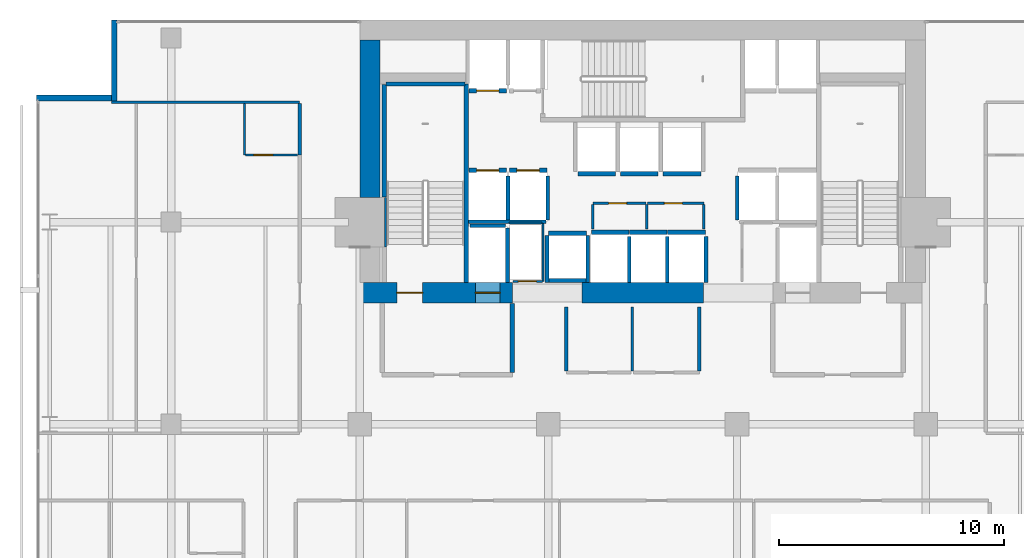
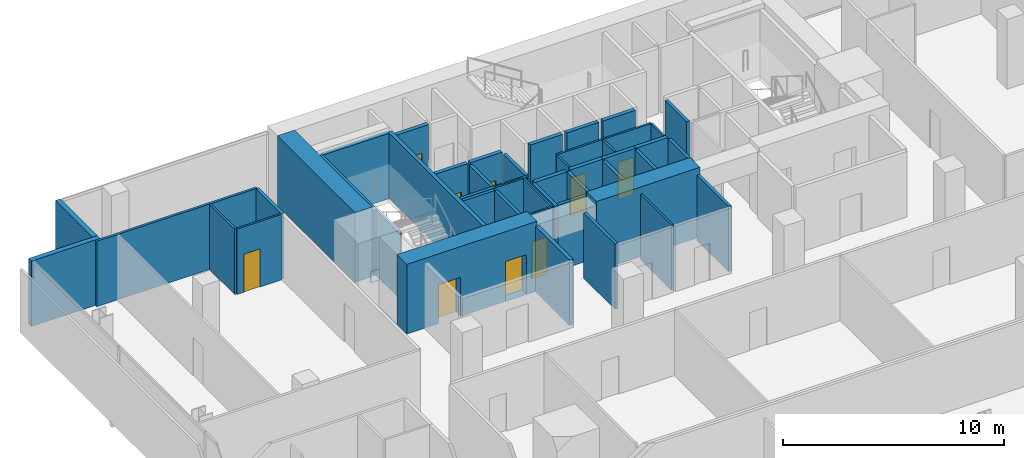
# One storey, part 35 of 40: 47 walls, 9 doors, 9 openings.
"""IFC4 building model written with IfcOpenShell, lengths in metres."""

from ifc_helpers import new_model, si_unit, direction, frame, frame_2d, origin, place, context, subcontext, project, spatial, rectangle, extrude, material, layer, layer_set, type_object, element, fill, save


model = new_model("IFC4")

# Units and contexts
model_context = context("Model", 3, precision=1e-05, world=origin(), true_north=direction((0.0, 1.0)))
body_context = subcontext(model_context, "Body", "Model", "MODEL_VIEW")
ifc_project = project(units=[si_unit("LENGTHUNIT", "METRE"), si_unit("AREAUNIT", "SQUARE_METRE"), si_unit("VOLUMEUNIT", "CUBIC_METRE"), si_unit("PLANEANGLEUNIT", "RADIAN"), si_unit("MASSUNIT", "GRAM", prefix="KILO")], contexts=[model_context])

# Site, building, storey
site_placement = place(None, origin())
site = spatial("IfcSite", under=ifc_project, at=site_placement, CompositionType="ELEMENT")
building_placement = place(site_placement, origin())
building = spatial("IfcBuilding", under=site, at=building_placement, Name="Maruvema Waterfront Hotel and Observation Tower", CompositionType="ELEMENT")
storey_placement = place(building_placement, frame((0.0, 0.0, 73.14990234375)))
storey = spatial("IfcBuildingStorey", under=building, at=storey_placement, Name="L17", CompositionType="ELEMENT", Elevation=73.14990234375)

# Walls
ifc_material_1 = material(Name="Twin-stud acoustic gypsum drywall", Category="gypsum")
ifc_layer_1 = layer(ifc_material_1, 0.14990234375, Name="Acoustic Corridor and Suite Demising Wall 150 mm")
ifc_layer_set_1 = layer_set([ifc_layer_1], Name="Twin-stud acoustic gypsum drywall")
wall_type_1 = type_object("IfcWallType", Name="Acoustic Corridor and Suite Demising Wall 150 mm", PredefinedType="PARTITIONING", material=ifc_layer_set_1)
for number, where, z_axis, x_axis, name in (
    (1, (34.39990234375, 38.3798828125, 0.0), (0.0, 0.0, 1.0), (0.0, 1.0, 0.0), "L17 Core Apron K2 West 019"),
    (2, (40.320068359375, 38.3798828125, 0.0), (0.0, 0.0, 1.0), (0.0, 1.0, 0.0), "L17 Core Apron K2 East 021"),
):
    element("IfcWall", number, at=place(storey_placement, frame(where, z_axis=z_axis, x_axis=x_axis)), inside=storey, type_object=wall_type_1, Name=name, PredefinedType="PARTITIONING", context=body_context, shape_type="SweptSolid", body=[
        extrude(rectangle(XDim=2.840087890625, YDim=0.14990234375, at=frame_2d((1.419921875, 0.0))), origin(), (0.0, 0.0, 1.0), 3.610107421875),
    ])
wall_1_placement = place(storey_placement, frame((22.52001953125, 47.987548828125, 0.0), z_axis=(0.0, 0.0, 1.0), x_axis=(0.0, 1.0, 0.0)))
element("IfcWall", 3, at=wall_1_placement, inside=storey, type_object=wall_type_1, Name="L17 Bath L17-NW1 Wall 091", PredefinedType="PARTITIONING", context=body_context, shape_type="SweptSolid", body=[
    extrude(rectangle(XDim=2.2900390625, YDim=0.14990234375, at=frame_2d((1.14501953125, 0.0))), origin(), (0.0, 0.0, 1.0), 3.610107421875),
])
ifc_material_2 = material(Name="Precast concrete C45/55", Category="concrete")
ifc_layer_2 = layer(ifc_material_2, 0.199951171875, Name="Core Shaft and Stairwell Enclosure Wall 200 mm")
ifc_layer_set_2 = layer_set([ifc_layer_2], Name="Precast concrete C45/55")
wall_type_2 = type_object("IfcWallType", Name="Core Shaft and Stairwell Enclosure Wall 200 mm", PredefinedType="SOLIDWALL", material=ifc_layer_set_2)
wall_2_placement = place(storey_placement, frame((29.949951171875, 42.300048828125, 0.0), z_axis=(0.0, 0.0, 1.0), x_axis=(0.0, 1.0, 0.0)))
element("IfcWall", 4, at=wall_2_placement, inside=storey, type_object=wall_type_2, Name="L17 Stairwell ST-01 East Shaft Wall", PredefinedType="SOLIDWALL", context=body_context, shape_type="SweptSolid", body=[
    extrude(rectangle(XDim=8.849853515625, YDim=0.199951171875, at=frame_2d((4.4248046875, 0.0))), origin(), (0.0, 0.0, 1.0), 3.610107421875),
])
wall_3_placement = place(storey_placement, frame((26.300048828125, 46.1201171875, 0.0), z_axis=(0.0, 0.0, 1.0), x_axis=(0.0, 1.0, 0.0)))
element("IfcWall", 5, at=wall_3_placement, inside=storey, type_object=wall_type_2, Name="L17 Stairwell ST-01 Shaft Lining Wall", PredefinedType="SOLIDWALL", context=body_context, shape_type="SweptSolid", body=[
    extrude(rectangle(XDim=5.0, YDim=0.199951171875, at=frame_2d((2.5, 0.0))), origin(), (0.0, 0.0, 1.0), 3.610107421875),
])
wall_4_placement = place(storey_placement, frame((26.3798828125, 51.14990234375, 0.0), z_axis=(0.0, 0.0, 1.0), x_axis=(1.0, 0.0, 0.0)))
element("IfcWall", 6, at=wall_4_placement, inside=storey, type_object=wall_type_2, Name="L17 Stairwell ST-01 Shaft Lining Wall", PredefinedType="SOLIDWALL", context=body_context, shape_type="SweptSolid", body=[
    extrude(rectangle(XDim=3.5, YDim=0.199951171875, at=frame_2d((1.75, 0.0))), origin(), (0.0, 0.0, 1.0), 3.610107421875),
])

# Wall, opening, door
wall_5_placement = place(storey_placement, frame((30.06005859375, 47.300048828125, 0.0), z_axis=(0.0, 0.0, 1.0), x_axis=(1.0, 0.0, 0.0)))
wall_5 = element("IfcWall", 7, at=wall_5_placement, inside=storey, type_object=wall_type_2, Name="L17 Lift LF-01 Hoistway Front Wall", PredefinedType="SOLIDWALL", context=body_context, shape_type="SweptSolid", body=[
    extrude(rectangle(XDim=1.679931640625, YDim=0.199951171875, at=frame_2d((0.83984375, 0.0))), origin(), (0.0, 0.0, 1.0), 3.610107421875),
])
opening_1_placement = place(wall_5_placement, frame((0.340087890625, 0.0, 0.0)))
opening_1 = element("IfcOpeningElement", 8, at=opening_1_placement, cuts=wall_5, Name="Opening LD-01", PredefinedType="OPENING", context=body_context, shape_type="SweptSolid", body=[
    extrude(rectangle(XDim=1.0, YDim=2.14990234375, at=frame_2d((0.5, 1.074951171875))), frame((0.0, 0.10986328125, 0.0), z_axis=(0.0, -1.0, 0.0), x_axis=(1.0, 0.0, 0.0)), (0.0, 0.0, 1.0), 0.219970703125),
])
ifc_material_3 = material(Name="Brushed stainless steel Grade 316", Category="steel")
door_type_1 = type_object("IfcDoorType", Name="Passenger Lift Sliding Landing Door 1000x2150 mm", OperationType="SLIDING_TO_LEFT", PredefinedType="DOOR", material=ifc_material_3)
door_1_placement = place(opening_1_placement, origin())
door_1 = element("IfcDoor", 9, at=door_1_placement, inside=storey, type_object=door_type_1, Name="L17 Lift LF-01 Sliding Landing Door", OperationType="SLIDING_TO_LEFT", OverallHeight=2.14990234375, OverallWidth=1.0, PredefinedType="DOOR", context=body_context, shape_type="SweptSolid", body=[
    extrude(rectangle(XDim=1.0, YDim=2.14990234375, at=frame_2d((0.5, 1.074951171875))), frame((0.0, 0.02490234375, 0.0), z_axis=(0.0, -1.0, 0.0), x_axis=(1.0, 0.0, 0.0)), (0.0, 0.0, 1.0), 0.050048828125),
])
fill(opening_1, door_1)

wall_6_placement = place(storey_placement, frame((31.860107421875, 47.300048828125, 0.0), z_axis=(0.0, 0.0, 1.0), x_axis=(1.0, 0.0, 0.0)))
wall_6 = element("IfcWall", 10, at=wall_6_placement, inside=storey, type_object=wall_type_2, Name="L17 Lift LF-02 Hoistway Front Wall", PredefinedType="SOLIDWALL", context=body_context, shape_type="SweptSolid", body=[
    extrude(rectangle(XDim=1.679931640625, YDim=0.199951171875, at=frame_2d((0.83984375, 0.0))), origin(), (0.0, 0.0, 1.0), 3.610107421875),
])
opening_2_placement = place(wall_6_placement, frame((0.340087890625, 0.0, 0.0)))
opening_2 = element("IfcOpeningElement", 11, at=opening_2_placement, cuts=wall_6, Name="Opening LD-01", PredefinedType="OPENING", context=body_context, shape_type="SweptSolid", body=[
    extrude(rectangle(XDim=1.0, YDim=2.14990234375, at=frame_2d((0.5, 1.074951171875))), frame((0.0, 0.10986328125, 0.0), z_axis=(0.0, -1.0, 0.0), x_axis=(1.0, 0.0, 0.0)), (0.0, 0.0, 1.0), 0.219970703125),
])
door_2_placement = place(opening_2_placement, origin())
door_2 = element("IfcDoor", 12, at=door_2_placement, inside=storey, type_object=door_type_1, Name="L17 Lift LF-02 Sliding Landing Door", OperationType="SLIDING_TO_LEFT", OverallHeight=2.14990234375, OverallWidth=1.0, PredefinedType="DOOR", context=body_context, shape_type="SweptSolid", body=[
    extrude(rectangle(XDim=1.0, YDim=2.14990234375, at=frame_2d((0.5, 1.074951171875))), frame((0.0, 0.02490234375, 0.0), z_axis=(0.0, -1.0, 0.0), x_axis=(1.0, 0.0, 0.0)), (0.0, 0.0, 1.0), 0.050048828125),
])
fill(opening_2, door_2)

wall_7_placement = place(storey_placement, frame((30.06005859375, 50.85009765625, 0.0), z_axis=(0.0, 0.0, 1.0), x_axis=(1.0, 0.0, 0.0)))
wall_7 = element("IfcWall", 13, at=wall_7_placement, inside=storey, type_object=wall_type_2, Name="L17 Lift LF-03 Hoistway Front Wall", PredefinedType="SOLIDWALL", context=body_context, shape_type="SweptSolid", body=[
    extrude(rectangle(XDim=1.679931640625, YDim=0.199951171875, at=frame_2d((0.83984375, 0.0))), origin(), (0.0, 0.0, 1.0), 3.610107421875),
])
opening_3_placement = place(wall_7_placement, frame((0.340087890625, 0.0, 0.0)))
opening_3 = element("IfcOpeningElement", 14, at=opening_3_placement, cuts=wall_7, Name="Opening LD-01", PredefinedType="OPENING", context=body_context, shape_type="SweptSolid", body=[
    extrude(rectangle(XDim=1.0, YDim=2.14990234375, at=frame_2d((0.5, 1.074951171875))), frame((0.0, 0.10986328125, 0.0), z_axis=(0.0, -1.0, 0.0), x_axis=(1.0, 0.0, 0.0)), (0.0, 0.0, 1.0), 0.219970703125),
])
door_3_placement = place(opening_3_placement, frame((1.0, 0.0, 0.0), z_axis=(0.0, 0.0, 1.0), x_axis=(-1.0, 0.0, 0.0)))
door_3 = element("IfcDoor", 15, at=door_3_placement, inside=storey, type_object=door_type_1, Name="L17 Lift LF-03 Sliding Landing Door", OperationType="SLIDING_TO_LEFT", OverallHeight=2.14990234375, OverallWidth=1.0, PredefinedType="DOOR", context=body_context, shape_type="SweptSolid", body=[
    extrude(rectangle(XDim=1.0, YDim=2.14990234375, at=frame_2d((0.5, 1.074951171875))), frame((0.0, 0.02490234375, 0.0), z_axis=(0.0, -1.0, 0.0), x_axis=(1.0, 0.0, 0.0)), (0.0, 0.0, 1.0), 0.050048828125),
])
fill(opening_3, door_3)

# Walls
for number, where, z_axis, x_axis, name in (
    (16, (35.510009765625, 44.550048828125, 0.0), (0.0, 0.0, 1.0), (1.0, 0.0, 0.0), "L17 Lift LF-09 Hoistway Front Wall"),
    (17, (37.2099609375, 44.550048828125, 0.0), (0.0, 0.0, 1.0), (1.0, 0.0, 0.0), "L17 Lift LF-10 Hoistway Front Wall"),
):
    element("IfcWall", number, at=place(storey_placement, frame(where, z_axis=z_axis, x_axis=x_axis)), inside=storey, type_object=wall_type_2, Name=name, PredefinedType="SOLIDWALL", context=body_context, shape_type="SweptSolid", body=[
        extrude(rectangle(XDim=1.679931640625, YDim=0.199951171875, at=frame_2d((0.83984375, 0.0))), origin(), (0.0, 0.0, 1.0), 3.610107421875),
    ])
for number, where, z_axis, x_axis, name in (
    (18, (38.909912109375, 44.550048828125, 0.0), (0.0, 0.0, 1.0), (1.0, 0.0, 0.0), "L17 Lift LF-11 Hoistway Front Wall"),
    (19, (34.909912109375, 47.14990234375, 0.0), (0.0, 0.0, 1.0), (1.0, 0.0, 0.0), "L17 Lift LF-12 Hoistway Front Wall"),
):
    element("IfcWall", number, at=place(storey_placement, frame(where, z_axis=z_axis, x_axis=x_axis)), inside=storey, type_object=wall_type_2, Name=name, PredefinedType="SOLIDWALL", context=body_context, shape_type="SweptSolid", body=[
        extrude(rectangle(XDim=1.68017578125, YDim=0.199951171875, at=frame_2d((0.840087890625, 0.0))), origin(), (0.0, 0.0, 1.0), 3.610107421875),
    ])
for number, where, z_axis, x_axis, name in (
    (20, (36.81005859375, 47.14990234375, 0.0), (0.0, 0.0, 1.0), (1.0, 0.0, 0.0), "L17 Lift LF-13 Hoistway Front Wall"),
    (21, (38.7099609375, 47.14990234375, 0.0), (0.0, 0.0, 1.0), (1.0, 0.0, 0.0), "L17 Lift LF-14 Hoistway Front Wall"),
    (22, (33.610107421875, 44.5, 0.0), (0.0, 0.0, 1.0), (1.0, 0.0, 0.0), "L17 Lift LF-15 Hoistway Front Wall"),
):
    element("IfcWall", number, at=place(storey_placement, frame(where, z_axis=z_axis, x_axis=x_axis)), inside=storey, type_object=wall_type_2, Name=name, PredefinedType="SOLIDWALL", context=body_context, shape_type="SweptSolid", body=[
        extrude(rectangle(XDim=1.679931640625, YDim=0.199951171875, at=frame_2d((0.83984375, 0.0))), origin(), (0.0, 0.0, 1.0), 3.610107421875),
    ])

# Wall, openings, doors
ifc_material_4 = material(Name="Concrete C80/95", Category="concrete")
ifc_layer_3 = layer(ifc_material_4, 0.89990234375, Name="Core Shear Wall 900 mm")
ifc_layer_set_3 = layer_set([ifc_layer_3], Name="Concrete C80/95")
wall_type_3 = type_object("IfcWallType", Name="Core Shear Wall 900 mm", PredefinedType="SHEAR", material=ifc_layer_set_3)
wall_8_placement = place(storey_placement, frame((25.199951171875, 41.85009765625, 0.0), z_axis=(0.0, 0.0, 1.0), x_axis=(1.0, 0.0, 0.0)))
wall_8 = element("IfcWall", 23, at=wall_8_placement, inside=storey, type_object=wall_type_3, Name="L17 South-West Core Shear Wall", PredefinedType="SHEAR", context=body_context, shape_type="SweptSolid", body=[
    extrude(rectangle(XDim=6.800048828125, YDim=0.89990234375, at=frame_2d((3.39990234375, 0.0))), origin(), (0.0, 0.0, 1.0), 3.85009765625),
])
opening_4_placement = place(wall_8_placement, frame((1.64990234375, 0.0, 0.0)))
opening_4 = element("IfcOpeningElement", 24, at=opening_4_placement, cuts=wall_8, Name="Opening SD-01", PredefinedType="OPENING", context=body_context, shape_type="SweptSolid", body=[
    extrude(rectangle(XDim=1.14990234375, YDim=2.14990234375, at=frame_2d((0.574951171875, 1.074951171875))), frame((0.0, 0.4599609375, 0.0), z_axis=(0.0, -1.0, 0.0), x_axis=(1.0, 0.0, 0.0)), (0.0, 0.0, 1.0), 0.919921875),
])
opening_5_placement = place(wall_8_placement, frame((5.14990234375, 0.0, 0.0)))
opening_5 = element("IfcOpeningElement", 25, at=opening_5_placement, cuts=wall_8, Name="Opening LD-03", PredefinedType="OPENING", context=body_context, shape_type="SweptSolid", body=[
    extrude(rectangle(XDim=1.10009765625, YDim=2.199951171875, at=frame_2d((0.550048828125, 1.10009765625))), frame((0.0, 0.4599609375, 0.0), z_axis=(0.0, -1.0, 0.0), x_axis=(1.0, 0.0, 0.0)), (0.0, 0.0, 1.0), 0.919921875),
])
ifc_material_5 = material(Name="Fire-rated galvanised steel leaf", Category="steel")
door_type_2 = type_object("IfcDoorType", Name="Exit Stair Fire Door 1150x2150 mm", OperationType="NOTDEFINED", PredefinedType="DOOR", material=ifc_material_5)
door_4_placement = place(opening_4_placement, origin())
door_4 = element("IfcDoor", 26, at=door_4_placement, inside=storey, type_object=door_type_2, Name="L17 Exit Stair ST-01 Fire Door", OperationType="SINGLE_SWING_LEFT", OverallHeight=2.14990234375, OverallWidth=1.14990234375, PredefinedType="DOOR", context=body_context, shape_type="SweptSolid", body=[
    extrude(rectangle(XDim=1.14990234375, YDim=2.14990234375, at=frame_2d((0.574951171875, 1.074951171875))), frame((0.0, 0.02490234375, 0.0), z_axis=(0.0, -1.0, 0.0), x_axis=(1.0, 0.0, 0.0)), (0.0, 0.0, 1.0), 0.050048828125),
])
fill(opening_4, door_4)
ifc_material_6 = material(Name="Brushed stainless steel Grade 316", Category="steel")
door_type_3 = type_object("IfcDoorType", Name="Firefighting Lift Sliding Landing Door 1100x2200 mm", OperationType="SLIDING_TO_LEFT", PredefinedType="DOOR", material=ifc_material_6)
door_5_placement = place(opening_5_placement, frame((1.10009765625, 0.0, 0.0), z_axis=(0.0, 0.0, 1.0), x_axis=(-1.0, 0.0, 0.0)))
door_5 = element("IfcDoor", 27, at=door_5_placement, inside=storey, type_object=door_type_3, Name="L17 Firefighting Lift FL-01 Landing Door", OperationType="SLIDING_TO_LEFT", OverallHeight=2.199951171875, OverallWidth=1.10009765625, PredefinedType="DOOR", context=body_context, shape_type="SweptSolid", body=[
    extrude(rectangle(XDim=1.10009765625, YDim=2.199951171875, at=frame_2d((0.550048828125, 1.10009765625))), frame((0.0, 0.02490234375, 0.0), z_axis=(0.0, -1.0, 0.0), x_axis=(1.0, 0.0, 0.0)), (0.0, 0.0, 1.0), 0.050048828125),
])
fill(opening_5, door_5)

# Walls
wall_9_placement = place(storey_placement, frame((35.10009765625, 41.85009765625, 0.0), z_axis=(0.0, 0.0, 1.0), x_axis=(1.0, 0.0, 0.0)))
element("IfcWall", 28, at=wall_9_placement, inside=storey, type_object=wall_type_3, Name="L17 South-Central Core Shear Wall", PredefinedType="SHEAR", context=body_context, shape_type="SweptSolid", body=[
    extrude(rectangle(XDim=5.39990234375, YDim=0.89990234375, at=frame_2d((2.699951171875, 0.0))), origin(), (0.0, 0.0, 1.0), 3.85009765625),
])
wall_10_placement = place(storey_placement, frame((25.64990234375, 46.10009765625, 0.0), z_axis=(0.0, 0.0, 1.0), x_axis=(0.0, 1.0, 0.0)))
element("IfcWall", 29, at=wall_10_placement, inside=storey, type_object=wall_type_3, Name="L17 West-North Core Shear Wall", PredefinedType="SHEAR", context=body_context, shape_type="SweptSolid", body=[
    extrude(rectangle(XDim=7.0, YDim=0.89990234375, at=frame_2d((3.5, 0.0))), origin(), (0.0, 0.0, 1.0), 3.85009765625),
])

# Wall, opening, door
ifc_material_7 = material(Name="Moisture-resistant cement-board drywall", Category="gypsum")
ifc_layer_4 = layer(ifc_material_7, 0.10009765625, Name="En-Suite Moisture-Resistant Partition 100 mm")
ifc_layer_set_4 = layer_set([ifc_layer_4], Name="Moisture-resistant cement-board drywall")
wall_type_4 = type_object("IfcWallType", Name="En-Suite Moisture-Resistant Partition 100 mm", PredefinedType="PARTITIONING", material=ifc_layer_set_4)
wall_11_placement = place(storey_placement, frame((32.02001953125, 42.360107421875, 0.0), z_axis=(0.0, 0.0, 1.0), x_axis=(1.0, 0.0, 0.0)))
wall_11 = element("IfcWall", 30, at=wall_11_placement, inside=storey, type_object=wall_type_4, Name="L17 Telecom Riser South Wall 007", PredefinedType="PARTITIONING", context=body_context, shape_type="SweptSolid", body=[
    extrude(rectangle(XDim=1.320068359375, YDim=0.10009765625, at=frame_2d((0.66015625, 0.0))), origin(), (0.0, 0.0, 1.0), 3.610107421875),
])
opening_6_placement = place(wall_11_placement, frame((0.239990234375, 0.0, 0.0)))
opening_6 = element("IfcOpeningElement", 31, at=opening_6_placement, cuts=wall_11, Name="Opening DR-080", PredefinedType="OPENING", context=body_context, shape_type="SweptSolid", body=[
    extrude(rectangle(XDim=0.800048828125, YDim=2.050048828125, at=frame_2d((0.39990234375, 1.02490234375))), frame((0.0, 0.06005859375, 0.0), z_axis=(0.0, -1.0, 0.0), x_axis=(1.0, 0.0, 0.0)), (0.0, 0.0, 1.0), 0.1201171875),
])
ifc_material_8 = material(Name="Powder-coated steel access leaf", Category="steel")
door_type_4 = type_object("IfcDoorType", Name="Riser and Service Cupboard Door 800x2050 mm", OperationType="NOTDEFINED", PredefinedType="DOOR", material=ifc_material_8)
door_6_placement = place(opening_6_placement, frame((0.800048828125, 0.0, 0.0), z_axis=(0.0, 0.0, 1.0), x_axis=(-1.0, 0.0, 0.0)))
door_6 = element("IfcDoor", 32, at=door_6_placement, inside=storey, type_object=door_type_4, Name="L17 Telecom Riser Door", OperationType="SINGLE_SWING_RIGHT", OverallHeight=2.050048828125, OverallWidth=0.800048828125, PredefinedType="DOOR", context=body_context, shape_type="SweptSolid", body=[
    extrude(rectangle(XDim=0.800048828125, YDim=2.050048828125, at=frame_2d((0.39990234375, 1.02490234375))), frame((0.0, 0.02490234375, 0.0), z_axis=(0.0, -1.0, 0.0), x_axis=(1.0, 0.0, 0.0)), (0.0, 0.0, 1.0), 0.050048828125),
])
fill(opening_6, door_6)

# Walls
wall_12_placement = place(storey_placement, frame((31.840087890625, 44.9599609375, 0.0), z_axis=(0.0, 0.0, 1.0), x_axis=(1.0, 0.0, 0.0)))
element("IfcWall", 33, at=wall_12_placement, inside=storey, type_object=wall_type_4, Name="L17 Telecom Riser North Wall 008", PredefinedType="PARTITIONING", context=body_context, shape_type="SweptSolid", body=[
    extrude(rectangle(XDim=1.47998046875, YDim=0.10009765625, at=frame_2d((0.739990234375, 0.0))), origin(), (0.0, 0.0, 1.0), 3.610107421875),
])
wall_13_placement = place(storey_placement, frame((33.360107421875, 42.360107421875, 0.0), z_axis=(0.0, 0.0, 1.0), x_axis=(0.0, 1.0, 0.0)))
element("IfcWall", 34, at=wall_13_placement, inside=storey, type_object=wall_type_4, Name="L17 Telecom Riser East Wall 009", PredefinedType="PARTITIONING", context=body_context, shape_type="SweptSolid", body=[
    extrude(rectangle(XDim=2.579833984375, YDim=0.10009765625, at=frame_2d((1.2900390625, 0.0))), origin(), (0.0, 0.0, 1.0), 3.610107421875),
])

# Wall, opening, door
wall_14_placement = place(storey_placement, frame((35.580078125, 45.840087890625, 0.0), z_axis=(0.0, 0.0, 1.0), x_axis=(1.0, 0.0, 0.0)))
wall_14 = element("IfcWall", 35, at=wall_14_placement, inside=storey, type_object=wall_type_4, Name="L17 Core Closet K2A North 010", PredefinedType="PARTITIONING", context=body_context, shape_type="SweptSolid", body=[
    extrude(rectangle(XDim=2.35986328125, YDim=0.10009765625, at=frame_2d((1.179931640625, 0.0))), origin(), (0.0, 0.0, 1.0), 3.610107421875),
])
opening_7_placement = place(wall_14_placement, frame((0.699951171875, 0.0, 0.0)))
opening_7 = element("IfcOpeningElement", 36, at=opening_7_placement, cuts=wall_14, Name="Opening DR-080", PredefinedType="OPENING", context=body_context, shape_type="SweptSolid", body=[
    extrude(rectangle(XDim=0.800048828125, YDim=2.050048828125, at=frame_2d((0.39990234375, 1.02490234375))), frame((0.0, 0.06005859375, 0.0), z_axis=(0.0, -1.0, 0.0), x_axis=(1.0, 0.0, 0.0)), (0.0, 0.0, 1.0), 0.1201171875),
])
door_7_placement = place(opening_7_placement, origin())
door_7 = element("IfcDoor", 37, at=door_7_placement, inside=storey, type_object=door_type_4, Name="L17 Core IT Closet Door", OperationType="SINGLE_SWING_LEFT", OverallHeight=2.050048828125, OverallWidth=0.800048828125, PredefinedType="DOOR", context=body_context, shape_type="SweptSolid", body=[
    extrude(rectangle(XDim=0.800048828125, YDim=2.050048828125, at=frame_2d((0.39990234375, 1.02490234375))), frame((0.0, 0.02490234375, 0.0), z_axis=(0.0, -1.0, 0.0), x_axis=(1.0, 0.0, 0.0)), (0.0, 0.0, 1.0), 0.050048828125),
])
fill(opening_7, door_7)

wall_15_placement = place(storey_placement, frame((38.02001953125, 45.840087890625, 0.0), z_axis=(0.0, 0.0, 1.0), x_axis=(1.0, 0.0, 0.0)))
wall_15 = element("IfcWall", 38, at=wall_15_placement, inside=storey, type_object=wall_type_4, Name="L17 Core Closet K2B North 011", PredefinedType="PARTITIONING", context=body_context, shape_type="SweptSolid", body=[
    extrude(rectangle(XDim=2.5, YDim=0.10009765625, at=frame_2d((1.25, 0.0))), origin(), (0.0, 0.0, 1.0), 3.610107421875),
])
opening_8_placement = place(wall_15_placement, frame((0.75, 0.0, 0.0)))
opening_8 = element("IfcOpeningElement", 39, at=opening_8_placement, cuts=wall_15, Name="Opening DR-080", PredefinedType="OPENING", context=body_context, shape_type="SweptSolid", body=[
    extrude(rectangle(XDim=0.800048828125, YDim=2.050048828125, at=frame_2d((0.39990234375, 1.02490234375))), frame((0.0, 0.06005859375, 0.0), z_axis=(0.0, -1.0, 0.0), x_axis=(1.0, 0.0, 0.0)), (0.0, 0.0, 1.0), 0.1201171875),
])
door_8_placement = place(opening_8_placement, origin())
door_8 = element("IfcDoor", 40, at=door_8_placement, inside=storey, type_object=door_type_4, Name="L17 Core Linen Cupboard Door", OperationType="SINGLE_SWING_RIGHT", OverallHeight=2.050048828125, OverallWidth=0.800048828125, PredefinedType="DOOR", context=body_context, shape_type="SweptSolid", body=[
    extrude(rectangle(XDim=0.800048828125, YDim=2.050048828125, at=frame_2d((0.39990234375, 1.02490234375))), frame((0.0, 0.02490234375, 0.0), z_axis=(0.0, -1.0, 0.0), x_axis=(1.0, 0.0, 0.0)), (0.0, 0.0, 1.0), 0.050048828125),
])
fill(opening_8, door_8)

# Walls
for number, where, z_axis, x_axis, name in (
    (41, (35.580078125, 44.699951171875, 0.0), (0.0, 0.0, 1.0), (0.0, 1.0, 0.0), "L17 Core Closet K2 West 012"),
    (42, (37.97998046875, 44.699951171875, 0.0), (0.0, 0.0, 1.0), (0.0, 1.0, 0.0), "L17 Core Closet K2 Mid 013"),
    (43, (40.52001953125, 44.699951171875, 0.0), (0.0, 0.0, 1.0), (0.0, 1.0, 0.0), "L17 Core Closet K2 East 014"),
):
    element("IfcWall", number, at=place(storey_placement, frame(where, z_axis=z_axis, x_axis=x_axis)), inside=storey, type_object=wall_type_4, Name=name, PredefinedType="PARTITIONING", context=body_context, shape_type="SweptSolid", body=[
        extrude(rectangle(XDim=1.080078125, YDim=0.10009765625, at=frame_2d((0.5400390625, 0.0))), origin(), (0.0, 0.0, 1.0), 3.610107421875),
    ])
wall_16_placement = place(storey_placement, frame((37.330078125, 38.3798828125, 0.0), z_axis=(0.0, 0.0, 1.0), x_axis=(0.0, 1.0, 0.0)))
element("IfcWall", 44, at=wall_16_placement, inside=storey, type_object=wall_type_4, Name="L17 Core Apron K2 Split 020", PredefinedType="PARTITIONING", context=body_context, shape_type="SweptSolid", body=[
    extrude(rectangle(XDim=2.840087890625, YDim=0.10009765625, at=frame_2d((1.419921875, 0.0))), origin(), (0.0, 0.0, 1.0), 3.610107421875),
])
wall_17_placement = place(storey_placement, frame((20.070068359375, 47.987548828125, 0.0), z_axis=(0.0, 0.0, 1.0), x_axis=(0.0, 1.0, 0.0)))
element("IfcWall", 45, at=wall_17_placement, inside=storey, type_object=wall_type_4, Name="L17 En-Suite L17-NW1 W 092", PredefinedType="PARTITIONING", context=body_context, shape_type="SweptSolid", body=[
    extrude(rectangle(XDim=2.2900390625, YDim=0.10009765625, at=frame_2d((1.14501953125, 0.0))), origin(), (0.0, 0.0, 1.0), 3.610107421875),
])

# Wall, opening, door
wall_18_placement = place(storey_placement, frame((20.1201171875, 47.987548828125, 0.0), z_axis=(0.0, 0.0, 1.0), x_axis=(1.0, 0.0, 0.0)))
wall_18 = element("IfcWall", 46, at=wall_18_placement, inside=storey, type_object=wall_type_4, Name="L17 En-Suite L17-NW1 S 093", PredefinedType="PARTITIONING", context=body_context, shape_type="SweptSolid", body=[
    extrude(rectangle(XDim=2.2998046875, YDim=0.10009765625, at=frame_2d((1.14990234375, 0.0))), origin(), (0.0, 0.0, 1.0), 3.610107421875),
])
opening_9_placement = place(wall_18_placement, frame((0.35009765625, 0.0, 0.0)))
opening_9 = element("IfcOpeningElement", 47, at=opening_9_placement, cuts=wall_18, Name="Opening DR-085", PredefinedType="OPENING", context=body_context, shape_type="SweptSolid", body=[
    extrude(rectangle(XDim=0.85009765625, YDim=2.10009765625, at=frame_2d((0.425048828125, 1.050048828125))), frame((0.0, 0.06005859375, 0.0), z_axis=(0.0, -1.0, 0.0), x_axis=(1.0, 0.0, 0.0)), (0.0, 0.0, 1.0), 0.1201171875),
])
ifc_material_9 = material(Name="Moisture-resistant solid timber leaf", Category="wood")
door_type_5 = type_object("IfcDoorType", Name="En-Suite Bathroom Door 850x2100 mm", OperationType="NOTDEFINED", PredefinedType="DOOR", material=ifc_material_9)
door_9_placement = place(opening_9_placement, frame((0.85009765625, 0.0, 0.0), z_axis=(0.0, 0.0, 1.0), x_axis=(-1.0, 0.0, 0.0)))
door_9 = element("IfcDoor", 48, at=door_9_placement, inside=storey, type_object=door_type_5, Name="L17 En-Suite L17-NW1 Door", OperationType="SINGLE_SWING_LEFT", OverallHeight=2.10009765625, OverallWidth=0.85009765625, PredefinedType="DOOR", context=body_context, shape_type="SweptSolid", body=[
    extrude(rectangle(XDim=0.85009765625, YDim=2.10009765625, at=frame_2d((0.425048828125, 1.050048828125))), frame((0.0, 0.02490234375, 0.0), z_axis=(0.0, -1.0, 0.0), x_axis=(1.0, 0.0, 0.0)), (0.0, 0.0, 1.0), 0.050048828125),
])
fill(opening_9, door_9)

# Walls
ifc_material_10 = material(Name="Precast concrete C45/55 with honed Pernambuco granite facing", Category="masonry")
ifc_layer_5 = layer(ifc_material_10, 0.260009765625, Name="Exterior Granite Clad Spandrel and Pier Wall 260 mm")
ifc_layer_set_5 = layer_set([ifc_layer_5], Name="Precast concrete C45/55 with honed Pernambuco granite facing")
wall_type_5 = type_object("IfcWallType", Name="Exterior Granite Clad Spandrel and Pier Wall 260 mm", PredefinedType="SOLIDWALL", material=ifc_layer_set_5)
wall_19_placement = place(storey_placement, frame((14.27001953125, 50.39990234375, 0.0), z_axis=(0.0, 0.0, 1.0), x_axis=(0.0, 1.0, 0.0)))
element("IfcWall", 49, at=wall_19_placement, inside=storey, type_object=wall_type_5, Name="L17 Corner Notch Granite Pier Wall NW1", PredefinedType="SOLIDWALL", context=body_context, shape_type="SweptSolid", body=[
    extrude(rectangle(XDim=3.60009765625, YDim=0.260009765625, at=frame_2d((1.800048828125, 0.0))), origin(), (0.0, 0.0, 1.0), 3.610107421875),
])
wall_20_placement = place(storey_placement, frame((10.800048828125, 50.530029296875, 0.0), z_axis=(0.0, 0.0, 1.0), x_axis=(1.0, 0.0, 0.0)))
element("IfcWall", 50, at=wall_20_placement, inside=storey, type_object=wall_type_5, Name="L17 Corner Notch Granite Pier Wall NW2", PredefinedType="SOLIDWALL", context=body_context, shape_type="SweptSolid", body=[
    extrude(rectangle(XDim=3.599853515625, YDim=0.260009765625, at=frame_2d((1.7998046875, 0.0))), origin(), (0.0, 0.0, 1.0), 3.610107421875),
])
ifc_material_11 = material(Name="Autoclaved cellular concrete blockwork", Category="masonry")
ifc_layer_6 = layer(ifc_material_11, 0.199951171875, Name="Fire Compartment Masonry Wall 200 mm")
ifc_layer_set_6 = layer_set([ifc_layer_6], Name="Autoclaved cellular concrete blockwork")
wall_type_6 = type_object("IfcWallType", Name="Fire Compartment Masonry Wall 200 mm", PredefinedType="PARTITIONING", material=ifc_layer_set_6)
wall_21_placement = place(storey_placement, frame((32.0, 38.31005859375, 0.0), z_axis=(0.0, 0.0, 1.0), x_axis=(0.0, 1.0, 0.0)))
element("IfcWall", 51, at=wall_21_placement, inside=storey, type_object=wall_type_6, Name="L17 FFL West East Wall 003", PredefinedType="PARTITIONING", context=body_context, shape_type="SweptSolid", body=[
    extrude(rectangle(XDim=3.06982421875, YDim=0.199951171875, at=frame_2d((1.534912109375, 0.0))), origin(), (0.0, 0.0, 1.0), 3.610107421875),
])
ifc_material_12 = material(Name="Acoustic gypsum plasterboard drywall", Category="gypsum")
ifc_layer_7 = layer(ifc_material_12, 0.125, Name="Guestroom Acoustic Demising Wall 125 mm")
ifc_layer_set_7 = layer_set([ifc_layer_7], Name="Acoustic gypsum plasterboard drywall")
wall_type_7 = type_object("IfcWallType", Name="Guestroom Acoustic Demising Wall 125 mm", PredefinedType="PARTITIONING", material=ifc_layer_set_7)
wall_22_placement = place(storey_placement, frame((14.139892578125, 50.33740234375, 0.0), z_axis=(0.0, 0.0, 1.0), x_axis=(1.0, 0.0, 0.0)))
element("IfcWall", 52, at=wall_22_placement, inside=storey, type_object=wall_type_7, Name="L17 NW Top End 088", PredefinedType="PARTITIONING", context=body_context, shape_type="SweptSolid", body=[
    extrude(rectangle(XDim=8.380126953125, YDim=0.125, at=frame_2d((4.18994140625, 0.0))), origin(), (0.0, 0.0, 1.0), 3.610107421875),
])
ifc_material_13 = material(Name="Precast concrete C45/55", Category="concrete")
ifc_layer_8 = layer(ifc_material_13, 0.159912109375, Name="Lift Hoistway Divider Wall 160 mm")
ifc_layer_set_8 = layer_set([ifc_layer_8], Name="Precast concrete C45/55")
wall_type_8 = type_object("IfcWallType", Name="Lift Hoistway Divider Wall 160 mm", PredefinedType="SOLIDWALL", material=ifc_layer_set_8)
wall_23_placement = place(storey_placement, frame((30.10009765625, 44.830078125, 0.0), z_axis=(0.0, 0.0, 1.0), x_axis=(1.0, 0.0, 0.0)))
element("IfcWall", 53, at=wall_23_placement, inside=storey, type_object=wall_type_8, Name="L17 Lift FL-01 Rear Hoistway Wall", PredefinedType="SOLIDWALL", context=body_context, shape_type="SweptSolid", body=[
    extrude(rectangle(XDim=1.599853515625, YDim=0.159912109375, at=frame_2d((0.7998046875, 0.0))), origin(), (0.0, 0.0, 1.0), 3.610107421875),
])
wall_24_placement = place(storey_placement, frame((31.780029296875, 42.300048828125, 0.0), z_axis=(0.0, 0.0, 1.0), x_axis=(0.0, 1.0, 0.0)))
element("IfcWall", 54, at=wall_24_placement, inside=storey, type_object=wall_type_8, Name="L17 Lift FL-01 Inner Hoistway Wall", PredefinedType="SOLIDWALL", context=body_context, shape_type="SweptSolid", body=[
    extrude(rectangle(XDim=2.43994140625, YDim=0.159912109375, at=frame_2d((1.219970703125, 0.0))), origin(), (0.0, 0.0, 1.0), 3.610107421875),
])
for number, where, z_axis, x_axis, name in (
    (55, (31.800048828125, 45.10009765625, 0.0), (0.0, 0.0, 1.0), (0.0, 1.0, 0.0), "L17 Hoistway Divider Wall"),
    (56, (33.580078125, 45.10009765625, 0.0), (0.0, 0.0, 1.0), (0.0, 1.0, 0.0), "L17 Hoistway Divider Wall"),
):
    element("IfcWall", number, at=place(storey_placement, frame(where, z_axis=z_axis, x_axis=x_axis)), inside=storey, type_object=wall_type_8, Name=name, PredefinedType="SOLIDWALL", context=body_context, shape_type="SweptSolid", body=[
        extrude(rectangle(XDim=1.949951171875, YDim=0.159912109375, at=frame_2d((0.97509765625, 0.0))), origin(), (0.0, 0.0, 1.0), 3.610107421875),
    ])
wall_25_placement = place(storey_placement, frame((30.050048828125, 45.010009765625, 0.0), z_axis=(0.0, 0.0, 1.0), x_axis=(1.0, 0.0, 0.0)))
element("IfcWall", 57, at=wall_25_placement, inside=storey, type_object=wall_type_8, Name="L17 Hoistway Divider Wall", PredefinedType="SOLIDWALL", context=body_context, shape_type="SweptSolid", body=[
    extrude(rectangle(XDim=3.449951171875, YDim=0.159912109375, at=frame_2d((1.72509765625, 0.0))), origin(), (0.0, 0.0, 1.0), 3.610107421875),
])
wall_26_placement = place(storey_placement, frame((42.02001953125, 45.10009765625, 0.0), z_axis=(0.0, 0.0, 1.0), x_axis=(0.0, 1.0, 0.0)))
element("IfcWall", 58, at=wall_26_placement, inside=storey, type_object=wall_type_8, Name="L17 Hoistway Divider Wall", PredefinedType="SOLIDWALL", context=body_context, shape_type="SweptSolid", body=[
    extrude(rectangle(XDim=1.949951171875, YDim=0.159912109375, at=frame_2d((0.97509765625, 0.0))), origin(), (0.0, 0.0, 1.0), 3.610107421875),
])
for number, where, z_axis, x_axis, name in (
    (59, (37.199951171875, 42.300048828125, 0.0), (0.0, 0.0, 1.0), (0.0, 1.0, 0.0), "L17 Hoistway Divider Wall"),
    (60, (38.89990234375, 42.300048828125, 0.0), (0.0, 0.0, 1.0), (0.0, 1.0, 0.0), "L17 Hoistway Divider Wall"),
    (61, (40.6201171875, 42.300048828125, 0.0), (0.0, 0.0, 1.0), (0.0, 1.0, 0.0), "L17 Hoistway Divider Wall"),
):
    element("IfcWall", number, at=place(storey_placement, frame(where, z_axis=z_axis, x_axis=x_axis)), inside=storey, type_object=wall_type_8, Name=name, PredefinedType="SOLIDWALL", context=body_context, shape_type="SweptSolid", body=[
        extrude(rectangle(XDim=2.050048828125, YDim=0.159912109375, at=frame_2d((1.02490234375, 0.0))), origin(), (0.0, 0.0, 1.0), 3.610107421875),
    ])
for number, where, z_axis, x_axis, name in (
    (62, (33.5400390625, 42.300048828125, 0.0), (0.0, 0.0, 1.0), (0.0, 1.0, 0.0), "L17 Hoistway Divider Wall"),
    (63, (35.360107421875, 42.300048828125, 0.0), (0.0, 0.0, 1.0), (0.0, 1.0, 0.0), "L17 Hoistway Divider Wall"),
):
    element("IfcWall", number, at=place(storey_placement, frame(where, z_axis=z_axis, x_axis=x_axis)), inside=storey, type_object=wall_type_8, Name=name, PredefinedType="SOLIDWALL", context=body_context, shape_type="SweptSolid", body=[
        extrude(rectangle(XDim=2.099853515625, YDim=0.159912109375, at=frame_2d((1.0498046875, 0.0))), origin(), (0.0, 0.0, 1.0), 3.610107421875),
    ])
wall_27_placement = place(storey_placement, frame((33.6201171875, 42.39990234375, 0.0), z_axis=(0.0, 0.0, 1.0), x_axis=(1.0, 0.0, 0.0)))
element("IfcWall", 64, at=wall_27_placement, inside=storey, type_object=wall_type_8, Name="L17 Hoistway Divider Wall", PredefinedType="SOLIDWALL", context=body_context, shape_type="SweptSolid", body=[
    extrude(rectangle(XDim=1.659912109375, YDim=0.159912109375, at=frame_2d((0.830078125, 0.0))), origin(), (0.0, 0.0, 1.0), 3.610107421875),
])
ifc_material_14 = material(Name="Precast concrete C45/55", Category="concrete")
ifc_layer_9 = layer(ifc_material_14, 0.10009765625, Name="Stairwell Stringer Cheek Wall 100 mm")
ifc_layer_set_9 = layer_set([ifc_layer_9], Name="Precast concrete C45/55")
wall_type_9 = type_object("IfcWallType", Name="Stairwell Stringer Cheek Wall 100 mm", PredefinedType="SOLIDWALL", material=ifc_layer_set_9)
wall_28_placement = place(storey_placement, frame((26.35205078125, 43.89990234375, 0.0), z_axis=(0.0, 0.0, 1.0), x_axis=(0.0, 1.0, 0.0)))
element("IfcWall", 65, at=wall_28_placement, inside=storey, type_object=wall_type_9, Name="L17 Stairwell ST-01 Mega-Column Cheek Wall", PredefinedType="SOLIDWALL", context=body_context, shape_type="SweptSolid", body=[
    extrude(rectangle(XDim=2.2001953125, YDim=0.10009765625, at=frame_2d((1.10009765625, 0.0))), origin(), (0.0, 0.0, 1.0), 3.610107421875),
])

save(model, "model.ifc")
